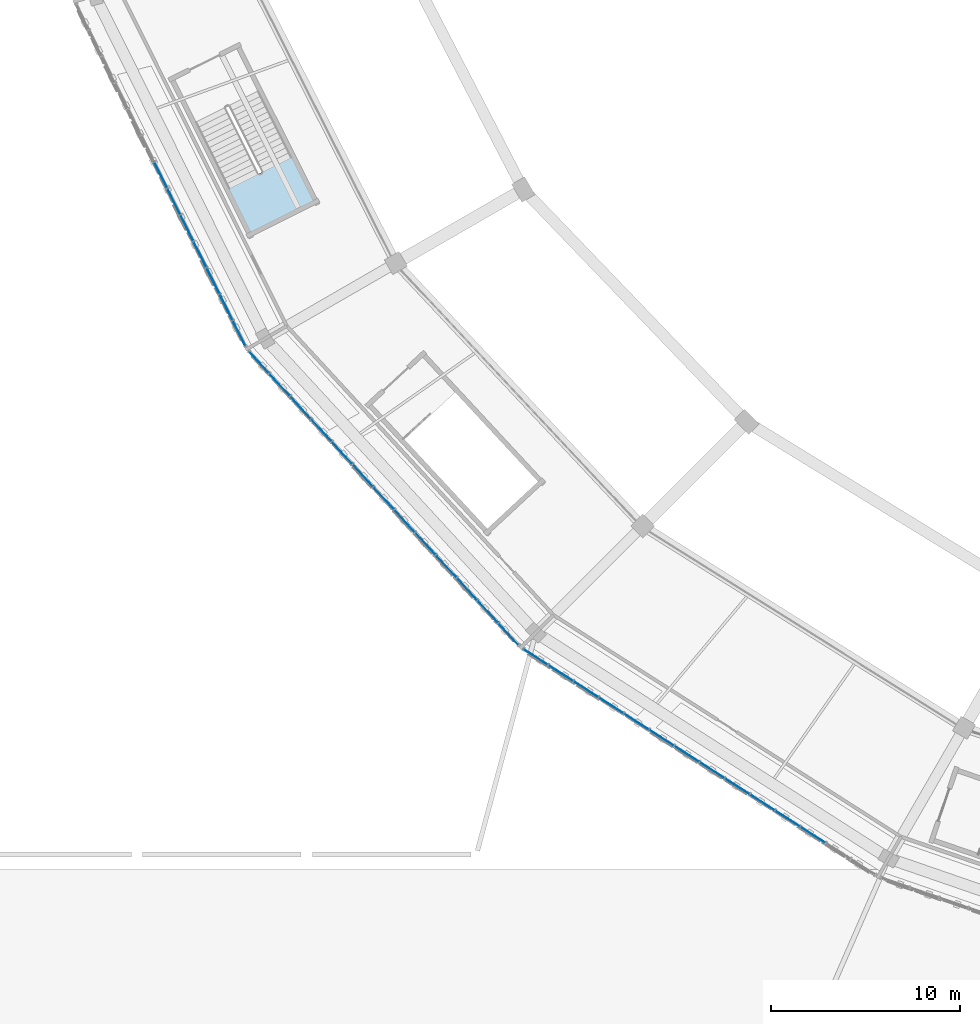
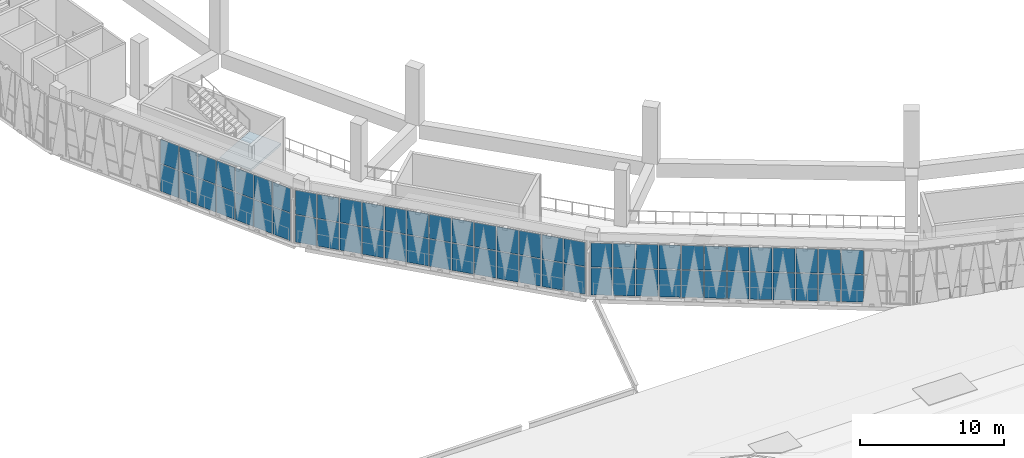
# One storey, part 50 of 108: 64 plates, 1 slab, 4 elements without a shape of their own.
"""IFC4 building model written with IfcOpenShell, lengths in metres."""

from ifc_helpers import new_model, si_unit, direction, frame, origin, origin_2d, place, context, subcontext, project, spatial, polyline, rectangle, outline, extrude, material, layer, layer_set, type_object, element, aggregate, save


model = new_model("IFC4")

# Units and contexts
model_context = context("Model", 3, precision=1e-05, world=origin(), true_north=direction((0.0, 1.0)))
body_context = subcontext(model_context, "Body", "Model", "MODEL_VIEW")
ifc_project = project(units=[si_unit("LENGTHUNIT", "METRE"), si_unit("AREAUNIT", "SQUARE_METRE"), si_unit("VOLUMEUNIT", "CUBIC_METRE"), si_unit("PLANEANGLEUNIT", "RADIAN"), si_unit("MASSUNIT", "GRAM", prefix="KILO")], contexts=[model_context])

# Site, building, storey
site_placement = place(None, origin())
site = spatial("IfcSite", under=ifc_project, at=site_placement, CompositionType="ELEMENT")
building_placement = place(site_placement, origin())
building = spatial("IfcBuilding", under=site, at=building_placement, Name="Zevraka Park Crest Stadium", CompositionType="ELEMENT")
storey_placement = place(building_placement, frame((0.0, 0.0, 19.800048828125)))
storey = spatial("IfcBuildingStorey", under=building, at=storey_placement, Name="L04", CompositionType="ELEMENT", Elevation=19.800048828125)

# Curtain wall, plates
ifc_material_1 = material(Name="Anodised architectural aluminium and laminated safety glass", Category="aluminium")
curtain_wall_type_1 = type_object("IfcCurtainWallType", Name="CW17", PredefinedType="NOTDEFINED", material=ifc_material_1)
curtain_wall_1_placement = place(storey_placement, origin())
curtain_wall_1 = element("IfcCurtainWall", 1, at=curtain_wall_1_placement, inside=storey, type_object=curtain_wall_type_1, Name="Unitised Ring Curtain Wall CW17 L04-13", PredefinedType="NOTDEFINED")
ifc_material_2 = material(Name="Solar-control laminated double glazing", Category="glass")
ifc_layer_1 = layer(ifc_material_2, 0.031982421875)
ifc_layer_set_1 = layer_set([ifc_layer_1], Name="Solar-control laminated double glazing")
plate_type_1 = type_object("IfcPlateType", Name="CP17", PredefinedType="CURTAIN_PANEL", material=ifc_layer_set_1)
plate_1_placement = place(storey_placement, frame((28.260498046875, 63.010498046875, 0.06494140625), z_axis=(0.0, 0.0, 1.0), x_axis=(0.443961067545, -0.896046076106, 0.0)))
plate_1 = element("IfcPlate", 2, at=plate_1_placement, type_object=plate_type_1, Name="CW17 panel 7.1", PredefinedType="CURTAIN_PANEL", context=body_context, shape_type="SweptSolid", body=[
    extrude(rectangle(XDim=1.497314453125, YDim=0.031982421875, at=origin_2d()), origin(), (0.0, 0.0, 1.0), 2.302490234375),
])
plate_2_placement = place(storey_placement, frame((28.260498046875, 63.010498046875, 2.432373046875), z_axis=(0.0, 0.0, 1.0), x_axis=(0.443961067545, -0.896046076106, 0.0)))
plate_2 = element("IfcPlate", 3, at=plate_2_placement, type_object=plate_type_1, Name="CW17 panel 7.2", PredefinedType="CURTAIN_PANEL", context=body_context, shape_type="SweptSolid", body=[
    extrude(rectangle(XDim=1.497314453125, YDim=0.031982421875, at=origin_2d()), origin(), (0.0, 0.0, 1.0), 2.04248046875),
])
plate_3_placement = place(storey_placement, frame((28.9541015625, 61.610595703125, 0.06494140625), z_axis=(0.0, 0.0, 1.0), x_axis=(0.443961067545, -0.896046076106, 0.0)))
plate_3 = element("IfcPlate", 4, at=plate_3_placement, type_object=plate_type_1, Name="CW17 panel 8.1", PredefinedType="CURTAIN_PANEL", context=body_context, shape_type="SweptSolid", body=[
    extrude(rectangle(XDim=1.497314453125, YDim=0.031982421875, at=origin_2d()), origin(), (0.0, 0.0, 1.0), 2.302490234375),
])
plate_4_placement = place(storey_placement, frame((28.9541015625, 61.610595703125, 2.432373046875), z_axis=(0.0, 0.0, 1.0), x_axis=(0.443961067545, -0.896046076106, 0.0)))
plate_4 = element("IfcPlate", 5, at=plate_4_placement, type_object=plate_type_1, Name="CW17 panel 8.2", PredefinedType="CURTAIN_PANEL", context=body_context, shape_type="SweptSolid", body=[
    extrude(rectangle(XDim=1.497314453125, YDim=0.031982421875, at=origin_2d()), origin(), (0.0, 0.0, 1.0), 2.04248046875),
])
plate_5_placement = place(storey_placement, frame((29.647705078125, 60.210693359375, 0.06494140625), z_axis=(0.0, 0.0, 1.0), x_axis=(0.443961067545, -0.896046076106, 0.0)))
plate_5 = element("IfcPlate", 6, at=plate_5_placement, type_object=plate_type_1, Name="CW17 panel 9.1", PredefinedType="CURTAIN_PANEL", context=body_context, shape_type="SweptSolid", body=[
    extrude(rectangle(XDim=1.497314453125, YDim=0.031982421875, at=origin_2d()), origin(), (0.0, 0.0, 1.0), 2.302490234375),
])
plate_6_placement = place(storey_placement, frame((29.647705078125, 60.210693359375, 2.432373046875), z_axis=(0.0, 0.0, 1.0), x_axis=(0.443961067545, -0.896046076106, 0.0)))
plate_6 = element("IfcPlate", 7, at=plate_6_placement, type_object=plate_type_1, Name="CW17 panel 9.2", PredefinedType="CURTAIN_PANEL", context=body_context, shape_type="SweptSolid", body=[
    extrude(rectangle(XDim=1.497314453125, YDim=0.031982421875, at=origin_2d()), origin(), (0.0, 0.0, 1.0), 2.04248046875),
])
plate_7_placement = place(storey_placement, frame((30.34130859375, 58.810791015625, 0.06494140625), z_axis=(0.0, 0.0, 1.0), x_axis=(0.443961067545, -0.896046076106, 0.0)))
plate_7 = element("IfcPlate", 8, at=plate_7_placement, type_object=plate_type_1, Name="CW17 panel 10.1", PredefinedType="CURTAIN_PANEL", context=body_context, shape_type="SweptSolid", body=[
    extrude(rectangle(XDim=1.497314453125, YDim=0.031982421875, at=origin_2d()), origin(), (0.0, 0.0, 1.0), 2.302490234375),
])
plate_8_placement = place(storey_placement, frame((30.34130859375, 58.810791015625, 2.432373046875), z_axis=(0.0, 0.0, 1.0), x_axis=(0.443961067545, -0.896046076106, 0.0)))
plate_8 = element("IfcPlate", 9, at=plate_8_placement, type_object=plate_type_1, Name="CW17 panel 10.2", PredefinedType="CURTAIN_PANEL", context=body_context, shape_type="SweptSolid", body=[
    extrude(rectangle(XDim=1.497314453125, YDim=0.031982421875, at=origin_2d()), origin(), (0.0, 0.0, 1.0), 2.04248046875),
])
plate_9_placement = place(storey_placement, frame((31.034912109375, 57.410888671875, 0.06494140625), z_axis=(0.0, 0.0, 1.0), x_axis=(0.443961067545, -0.896046076106, 0.0)))
plate_9 = element("IfcPlate", 10, at=plate_9_placement, type_object=plate_type_1, Name="CW17 panel 11.1", PredefinedType="CURTAIN_PANEL", context=body_context, shape_type="SweptSolid", body=[
    extrude(rectangle(XDim=1.497314453125, YDim=0.031982421875, at=origin_2d()), origin(), (0.0, 0.0, 1.0), 2.302490234375),
])
plate_10_placement = place(storey_placement, frame((31.034912109375, 57.410888671875, 2.432373046875), z_axis=(0.0, 0.0, 1.0), x_axis=(0.443961067545, -0.896046076106, 0.0)))
plate_10 = element("IfcPlate", 11, at=plate_10_placement, type_object=plate_type_1, Name="CW17 panel 11.2", PredefinedType="CURTAIN_PANEL", context=body_context, shape_type="SweptSolid", body=[
    extrude(rectangle(XDim=1.497314453125, YDim=0.031982421875, at=origin_2d()), origin(), (0.0, 0.0, 1.0), 2.04248046875),
])
plate_11_placement = place(storey_placement, frame((31.728515625, 56.010986328125, 0.06494140625), z_axis=(0.0, 0.0, 1.0), x_axis=(0.443961067545, -0.896046076106, 0.0)))
plate_11 = element("IfcPlate", 12, at=plate_11_placement, type_object=plate_type_1, Name="CW17 panel 12.1", PredefinedType="CURTAIN_PANEL", context=body_context, shape_type="SweptSolid", body=[
    extrude(rectangle(XDim=1.497314453125, YDim=0.031982421875, at=origin_2d()), origin(), (0.0, 0.0, 1.0), 2.302490234375),
])
plate_12_placement = place(storey_placement, frame((31.728515625, 56.010986328125, 2.432373046875), z_axis=(0.0, 0.0, 1.0), x_axis=(0.443961067545, -0.896046076106, 0.0)))
plate_12 = element("IfcPlate", 13, at=plate_12_placement, type_object=plate_type_1, Name="CW17 panel 12.2", PredefinedType="CURTAIN_PANEL", context=body_context, shape_type="SweptSolid", body=[
    extrude(rectangle(XDim=1.497314453125, YDim=0.031982421875, at=origin_2d()), origin(), (0.0, 0.0, 1.0), 2.04248046875),
])
plate_13_placement = place(storey_placement, frame((32.4150390625, 54.62548828125, 0.06494140625), z_axis=(0.0, 0.0, 1.0), x_axis=(0.443961067545, -0.896046076106, 0.0)))
plate_13 = element("IfcPlate", 14, at=plate_13_placement, type_object=plate_type_1, Name="CW17 panel 13.1", PredefinedType="CURTAIN_PANEL", context=body_context, shape_type="SweptSolid", body=[
    extrude(rectangle(XDim=1.46484375, YDim=0.031982421875, at=origin_2d()), origin(), (0.0, 0.0, 1.0), 2.302490234375),
])
plate_14_placement = place(storey_placement, frame((32.4150390625, 54.62548828125, 2.432373046875), z_axis=(0.0, 0.0, 1.0), x_axis=(0.443961067545, -0.896046076106, 0.0)))
plate_14 = element("IfcPlate", 15, at=plate_14_placement, type_object=plate_type_1, Name="CW17 panel 13.2", PredefinedType="CURTAIN_PANEL", context=body_context, shape_type="SweptSolid", body=[
    extrude(rectangle(XDim=1.46484375, YDim=0.031982421875, at=origin_2d()), origin(), (0.0, 0.0, 1.0), 2.04248046875),
])
aggregate(curtain_wall_1, [plate_1, plate_2, plate_3, plate_4, plate_5, plate_6, plate_7, plate_8, plate_9, plate_10, plate_11, plate_12, plate_13, plate_14])

ifc_material_3 = material(Name="Anodised architectural aluminium and laminated safety glass", Category="aluminium")
curtain_wall_type_2 = type_object("IfcCurtainWallType", Name="CW18", PredefinedType="NOTDEFINED", material=ifc_material_3)
curtain_wall_2_placement = place(storey_placement, origin())
curtain_wall_2 = element("IfcCurtainWall", 16, at=curtain_wall_2_placement, inside=storey, type_object=curtain_wall_type_2, Name="Unitised Ring Curtain Wall CW18 L04-14", PredefinedType="NOTDEFINED")
ifc_material_4 = material(Name="Solar-control laminated double glazing", Category="glass")
ifc_layer_2 = layer(ifc_material_4, 0.031982421875)
ifc_layer_set_2 = layer_set([ifc_layer_2], Name="Solar-control laminated double glazing")
plate_type_2 = type_object("IfcPlateType", Name="CP18", PredefinedType="CURTAIN_PANEL", material=ifc_layer_set_2)
plate_15_placement = place(storey_placement, frame((33.476806640625, 53.086669921875, 0.070068359375), z_axis=(0.0, 0.0, 1.0), x_axis=(0.676138417355, -0.736774619932, 0.0)))
plate_15 = element("IfcPlate", 17, at=plate_15_placement, type_object=plate_type_2, Name="CW18 panel 1.1", PredefinedType="CURTAIN_PANEL", context=body_context, shape_type="SweptSolid", body=[
    extrude(rectangle(XDim=1.527587890625, YDim=0.031982421875, at=origin_2d()), origin(), (0.0, 0.0, 1.0), 2.294921875),
])
plate_16_placement = place(storey_placement, frame((33.476806640625, 53.086669921875, 2.43505859375), z_axis=(0.0, 0.0, 1.0), x_axis=(0.676138417355, -0.736774619932, 0.0)))
plate_16 = element("IfcPlate", 18, at=plate_16_placement, type_object=plate_type_2, Name="CW18 panel 1.2", PredefinedType="CURTAIN_PANEL", context=body_context, shape_type="SweptSolid", body=[
    extrude(rectangle(XDim=1.527587890625, YDim=0.031982421875, at=origin_2d()), origin(), (0.0, 0.0, 1.0), 2.034912109375),
])
plate_17_placement = place(storey_placement, frame((34.56884765625, 51.896728515625, 0.070068359375), z_axis=(0.0, 0.0, 1.0), x_axis=(0.676138417355, -0.736774619932, 0.0)))
plate_17 = element("IfcPlate", 19, at=plate_17_placement, type_object=plate_type_2, Name="CW18 panel 2.1", PredefinedType="CURTAIN_PANEL", context=body_context, shape_type="SweptSolid", body=[
    extrude(rectangle(XDim=1.562744140625, YDim=0.031982421875, at=origin_2d()), origin(), (0.0, 0.0, 1.0), 2.294921875),
])
plate_18_placement = place(storey_placement, frame((34.56884765625, 51.896728515625, 2.43505859375), z_axis=(0.0, 0.0, 1.0), x_axis=(0.676138417355, -0.736774619932, 0.0)))
plate_18 = element("IfcPlate", 20, at=plate_18_placement, type_object=plate_type_2, Name="CW18 panel 2.2", PredefinedType="CURTAIN_PANEL", context=body_context, shape_type="SweptSolid", body=[
    extrude(rectangle(XDim=1.562744140625, YDim=0.031982421875, at=origin_2d()), origin(), (0.0, 0.0, 1.0), 2.034912109375),
])
plate_19_placement = place(storey_placement, frame((35.6728515625, 50.693603515625, 0.070068359375), z_axis=(0.0, 0.0, 1.0), x_axis=(0.676138417355, -0.736774619932, 0.0)))
plate_19 = element("IfcPlate", 21, at=plate_19_placement, type_object=plate_type_2, Name="CW18 panel 3.1", PredefinedType="CURTAIN_PANEL", context=body_context, shape_type="SweptSolid", body=[
    extrude(rectangle(XDim=1.562744140625, YDim=0.031982421875, at=origin_2d()), origin(), (0.0, 0.0, 1.0), 2.294921875),
])
plate_20_placement = place(storey_placement, frame((35.6728515625, 50.693603515625, 2.43505859375), z_axis=(0.0, 0.0, 1.0), x_axis=(0.676138417355, -0.736774619932, 0.0)))
plate_20 = element("IfcPlate", 22, at=plate_20_placement, type_object=plate_type_2, Name="CW18 panel 3.2", PredefinedType="CURTAIN_PANEL", context=body_context, shape_type="SweptSolid", body=[
    extrude(rectangle(XDim=1.562744140625, YDim=0.031982421875, at=origin_2d()), origin(), (0.0, 0.0, 1.0), 2.034912109375),
])
plate_21_placement = place(storey_placement, frame((36.776611328125, 49.49072265625, 0.070068359375), z_axis=(0.0, 0.0, 1.0), x_axis=(0.676138417355, -0.736774619932, 0.0)))
plate_21 = element("IfcPlate", 23, at=plate_21_placement, type_object=plate_type_2, Name="CW18 panel 4.1", PredefinedType="CURTAIN_PANEL", context=body_context, shape_type="SweptSolid", body=[
    extrude(rectangle(XDim=1.562744140625, YDim=0.031982421875, at=origin_2d()), origin(), (0.0, 0.0, 1.0), 2.294921875),
])
plate_22_placement = place(storey_placement, frame((36.776611328125, 49.49072265625, 2.43505859375), z_axis=(0.0, 0.0, 1.0), x_axis=(0.676138417355, -0.736774619932, 0.0)))
plate_22 = element("IfcPlate", 24, at=plate_22_placement, type_object=plate_type_2, Name="CW18 panel 4.2", PredefinedType="CURTAIN_PANEL", context=body_context, shape_type="SweptSolid", body=[
    extrude(rectangle(XDim=1.562744140625, YDim=0.031982421875, at=origin_2d()), origin(), (0.0, 0.0, 1.0), 2.034912109375),
])
plate_23_placement = place(storey_placement, frame((37.880615234375, 48.287841796875, 0.070068359375), z_axis=(0.0, 0.0, 1.0), x_axis=(0.676138417355, -0.736774619932, 0.0)))
plate_23 = element("IfcPlate", 25, at=plate_23_placement, type_object=plate_type_2, Name="CW18 panel 5.1", PredefinedType="CURTAIN_PANEL", context=body_context, shape_type="SweptSolid", body=[
    extrude(rectangle(XDim=1.562744140625, YDim=0.031982421875, at=origin_2d()), origin(), (0.0, 0.0, 1.0), 2.294921875),
])
plate_24_placement = place(storey_placement, frame((37.880615234375, 48.287841796875, 2.43505859375), z_axis=(0.0, 0.0, 1.0), x_axis=(0.676138417355, -0.736774619932, 0.0)))
plate_24 = element("IfcPlate", 26, at=plate_24_placement, type_object=plate_type_2, Name="CW18 panel 5.2", PredefinedType="CURTAIN_PANEL", context=body_context, shape_type="SweptSolid", body=[
    extrude(rectangle(XDim=1.562744140625, YDim=0.031982421875, at=origin_2d()), origin(), (0.0, 0.0, 1.0), 2.034912109375),
])
plate_25_placement = place(storey_placement, frame((38.984619140625, 47.0849609375, 0.070068359375), z_axis=(0.0, 0.0, 1.0), x_axis=(0.676138417355, -0.736774619932, 0.0)))
plate_25 = element("IfcPlate", 27, at=plate_25_placement, type_object=plate_type_2, Name="CW18 panel 6.1", PredefinedType="CURTAIN_PANEL", context=body_context, shape_type="SweptSolid", body=[
    extrude(rectangle(XDim=1.562744140625, YDim=0.031982421875, at=origin_2d()), origin(), (0.0, 0.0, 1.0), 2.294921875),
])
plate_26_placement = place(storey_placement, frame((38.984619140625, 47.0849609375, 2.43505859375), z_axis=(0.0, 0.0, 1.0), x_axis=(0.676138417355, -0.736774619932, 0.0)))
plate_26 = element("IfcPlate", 28, at=plate_26_placement, type_object=plate_type_2, Name="CW18 panel 6.2", PredefinedType="CURTAIN_PANEL", context=body_context, shape_type="SweptSolid", body=[
    extrude(rectangle(XDim=1.562744140625, YDim=0.031982421875, at=origin_2d()), origin(), (0.0, 0.0, 1.0), 2.034912109375),
])
plate_27_placement = place(storey_placement, frame((40.08837890625, 45.882080078125, 0.070068359375), z_axis=(0.0, 0.0, 1.0), x_axis=(0.676138417355, -0.736774619932, 0.0)))
plate_27 = element("IfcPlate", 29, at=plate_27_placement, type_object=plate_type_2, Name="CW18 panel 7.1", PredefinedType="CURTAIN_PANEL", context=body_context, shape_type="SweptSolid", body=[
    extrude(rectangle(XDim=1.562744140625, YDim=0.031982421875, at=origin_2d()), origin(), (0.0, 0.0, 1.0), 2.294921875),
])
plate_28_placement = place(storey_placement, frame((40.08837890625, 45.882080078125, 2.43505859375), z_axis=(0.0, 0.0, 1.0), x_axis=(0.676138417355, -0.736774619932, 0.0)))
plate_28 = element("IfcPlate", 30, at=plate_28_placement, type_object=plate_type_2, Name="CW18 panel 7.2", PredefinedType="CURTAIN_PANEL", context=body_context, shape_type="SweptSolid", body=[
    extrude(rectangle(XDim=1.562744140625, YDim=0.031982421875, at=origin_2d()), origin(), (0.0, 0.0, 1.0), 2.034912109375),
])
plate_29_placement = place(storey_placement, frame((41.1923828125, 44.678955078125, 0.070068359375), z_axis=(0.0, 0.0, 1.0), x_axis=(0.676138417355, -0.736774619932, 0.0)))
plate_29 = element("IfcPlate", 31, at=plate_29_placement, type_object=plate_type_2, Name="CW18 panel 8.1", PredefinedType="CURTAIN_PANEL", context=body_context, shape_type="SweptSolid", body=[
    extrude(rectangle(XDim=1.562744140625, YDim=0.031982421875, at=origin_2d()), origin(), (0.0, 0.0, 1.0), 2.294921875),
])
plate_30_placement = place(storey_placement, frame((41.1923828125, 44.678955078125, 2.43505859375), z_axis=(0.0, 0.0, 1.0), x_axis=(0.676138417355, -0.736774619932, 0.0)))
plate_30 = element("IfcPlate", 32, at=plate_30_placement, type_object=plate_type_2, Name="CW18 panel 8.2", PredefinedType="CURTAIN_PANEL", context=body_context, shape_type="SweptSolid", body=[
    extrude(rectangle(XDim=1.562744140625, YDim=0.031982421875, at=origin_2d()), origin(), (0.0, 0.0, 1.0), 2.034912109375),
])
plate_31_placement = place(storey_placement, frame((42.29638671875, 43.47607421875, 0.070068359375), z_axis=(0.0, 0.0, 1.0), x_axis=(0.676138417355, -0.736774619932, 0.0)))
plate_31 = element("IfcPlate", 33, at=plate_31_placement, type_object=plate_type_2, Name="CW18 panel 9.1", PredefinedType="CURTAIN_PANEL", context=body_context, shape_type="SweptSolid", body=[
    extrude(rectangle(XDim=1.562744140625, YDim=0.031982421875, at=origin_2d()), origin(), (0.0, 0.0, 1.0), 2.294921875),
])
plate_32_placement = place(storey_placement, frame((42.29638671875, 43.47607421875, 2.43505859375), z_axis=(0.0, 0.0, 1.0), x_axis=(0.676138417355, -0.736774619932, 0.0)))
plate_32 = element("IfcPlate", 34, at=plate_32_placement, type_object=plate_type_2, Name="CW18 panel 9.2", PredefinedType="CURTAIN_PANEL", context=body_context, shape_type="SweptSolid", body=[
    extrude(rectangle(XDim=1.562744140625, YDim=0.031982421875, at=origin_2d()), origin(), (0.0, 0.0, 1.0), 2.034912109375),
])
plate_33_placement = place(storey_placement, frame((43.400390625, 42.273193359375, 0.070068359375), z_axis=(0.0, 0.0, 1.0), x_axis=(0.676138417355, -0.736774619932, 0.0)))
plate_33 = element("IfcPlate", 35, at=plate_33_placement, type_object=plate_type_2, Name="CW18 panel 10.1", PredefinedType="CURTAIN_PANEL", context=body_context, shape_type="SweptSolid", body=[
    extrude(rectangle(XDim=1.562744140625, YDim=0.031982421875, at=origin_2d()), origin(), (0.0, 0.0, 1.0), 2.294921875),
])
plate_34_placement = place(storey_placement, frame((43.400390625, 42.273193359375, 2.43505859375), z_axis=(0.0, 0.0, 1.0), x_axis=(0.676138417355, -0.736774619932, 0.0)))
plate_34 = element("IfcPlate", 36, at=plate_34_placement, type_object=plate_type_2, Name="CW18 panel 10.2", PredefinedType="CURTAIN_PANEL", context=body_context, shape_type="SweptSolid", body=[
    extrude(rectangle(XDim=1.562744140625, YDim=0.031982421875, at=origin_2d()), origin(), (0.0, 0.0, 1.0), 2.034912109375),
])
plate_35_placement = place(storey_placement, frame((44.504150390625, 41.0703125, 0.070068359375), z_axis=(0.0, 0.0, 1.0), x_axis=(0.676138417355, -0.736774619932, 0.0)))
plate_35 = element("IfcPlate", 37, at=plate_35_placement, type_object=plate_type_2, Name="CW18 panel 11.1", PredefinedType="CURTAIN_PANEL", context=body_context, shape_type="SweptSolid", body=[
    extrude(rectangle(XDim=1.562744140625, YDim=0.031982421875, at=origin_2d()), origin(), (0.0, 0.0, 1.0), 2.294921875),
])
plate_36_placement = place(storey_placement, frame((44.504150390625, 41.0703125, 2.43505859375), z_axis=(0.0, 0.0, 1.0), x_axis=(0.676138417355, -0.736774619932, 0.0)))
plate_36 = element("IfcPlate", 38, at=plate_36_placement, type_object=plate_type_2, Name="CW18 panel 11.2", PredefinedType="CURTAIN_PANEL", context=body_context, shape_type="SweptSolid", body=[
    extrude(rectangle(XDim=1.562744140625, YDim=0.031982421875, at=origin_2d()), origin(), (0.0, 0.0, 1.0), 2.034912109375),
])
plate_37_placement = place(storey_placement, frame((45.608154296875, 39.867431640625, 0.070068359375), z_axis=(0.0, 0.0, 1.0), x_axis=(0.676138417355, -0.736774619932, 0.0)))
plate_37 = element("IfcPlate", 39, at=plate_37_placement, type_object=plate_type_2, Name="CW18 panel 12.1", PredefinedType="CURTAIN_PANEL", context=body_context, shape_type="SweptSolid", body=[
    extrude(rectangle(XDim=1.562744140625, YDim=0.031982421875, at=origin_2d()), origin(), (0.0, 0.0, 1.0), 2.294921875),
])
plate_38_placement = place(storey_placement, frame((45.608154296875, 39.867431640625, 2.43505859375), z_axis=(0.0, 0.0, 1.0), x_axis=(0.676138417355, -0.736774619932, 0.0)))
plate_38 = element("IfcPlate", 40, at=plate_38_placement, type_object=plate_type_2, Name="CW18 panel 12.2", PredefinedType="CURTAIN_PANEL", context=body_context, shape_type="SweptSolid", body=[
    extrude(rectangle(XDim=1.562744140625, YDim=0.031982421875, at=origin_2d()), origin(), (0.0, 0.0, 1.0), 2.034912109375),
])
plate_39_placement = place(storey_placement, frame((46.7001953125, 38.67724609375, 0.070068359375), z_axis=(0.0, 0.0, 1.0), x_axis=(0.676138417355, -0.736774619932, 0.0)))
plate_39 = element("IfcPlate", 41, at=plate_39_placement, type_object=plate_type_2, Name="CW18 panel 13.1", PredefinedType="CURTAIN_PANEL", context=body_context, shape_type="SweptSolid", body=[
    extrude(rectangle(XDim=1.527587890625, YDim=0.031982421875, at=origin_2d()), origin(), (0.0, 0.0, 1.0), 2.294921875),
])
plate_40_placement = place(storey_placement, frame((46.7001953125, 38.67724609375, 2.43505859375), z_axis=(0.0, 0.0, 1.0), x_axis=(0.676138417355, -0.736774619932, 0.0)))
plate_40 = element("IfcPlate", 42, at=plate_40_placement, type_object=plate_type_2, Name="CW18 panel 13.2", PredefinedType="CURTAIN_PANEL", context=body_context, shape_type="SweptSolid", body=[
    extrude(rectangle(XDim=1.527587890625, YDim=0.031982421875, at=origin_2d()), origin(), (0.0, 0.0, 1.0), 2.034912109375),
])
aggregate(curtain_wall_2, [plate_15, plate_16, plate_17, plate_18, plate_19, plate_20, plate_21, plate_22, plate_23, plate_24, plate_25, plate_26, plate_27, plate_28, plate_29, plate_30, plate_31, plate_32, plate_33, plate_34, plate_35, plate_36, plate_37, plate_38, plate_39, plate_40])

curtain_wall_3_placement = place(storey_placement, origin())
curtain_wall_3 = element("IfcCurtainWall", 43, at=curtain_wall_3_placement, inside=storey, type_object=curtain_wall_type_2, Name="Unitised Ring Curtain Wall CW18 L04-15", PredefinedType="NOTDEFINED")
plate_41_placement = place(storey_placement, frame((48.14404296875, 37.459716796875, 0.070068359375), z_axis=(0.0, 0.0, 1.0), x_axis=(0.841677883781, -0.539979944029, 0.0)))
plate_41 = element("IfcPlate", 44, at=plate_41_placement, type_object=plate_type_2, Name="CW18 panel 1.1", PredefinedType="CURTAIN_PANEL", context=body_context, shape_type="SweptSolid", body=[
    extrude(rectangle(XDim=1.483154296875, YDim=0.031982421875, at=origin_2d()), origin(), (0.0, 0.0, 1.0), 2.294921875),
])
plate_42_placement = place(storey_placement, frame((48.14404296875, 37.459716796875, 2.43505859375), z_axis=(0.0, 0.0, 1.0), x_axis=(0.841677883781, -0.539979944029, 0.0)))
plate_42 = element("IfcPlate", 45, at=plate_42_placement, type_object=plate_type_2, Name="CW18 panel 1.2", PredefinedType="CURTAIN_PANEL", context=body_context, shape_type="SweptSolid", body=[
    extrude(rectangle(XDim=1.483154296875, YDim=0.031982421875, at=origin_2d()), origin(), (0.0, 0.0, 1.0), 2.034912109375),
])
plate_43_placement = place(storey_placement, frame((49.466064453125, 36.611572265625, 0.070068359375), z_axis=(0.0, 0.0, 1.0), x_axis=(0.841677883781, -0.539979944029, 0.0)))
plate_43 = element("IfcPlate", 46, at=plate_43_placement, type_object=plate_type_2, Name="CW18 panel 2.1", PredefinedType="CURTAIN_PANEL", context=body_context, shape_type="SweptSolid", body=[
    extrude(rectangle(XDim=1.51806640625, YDim=0.031982421875, at=origin_2d()), origin(), (0.0, 0.0, 1.0), 2.294921875),
])
plate_44_placement = place(storey_placement, frame((49.466064453125, 36.611572265625, 2.43505859375), z_axis=(0.0, 0.0, 1.0), x_axis=(0.841677883781, -0.539979944029, 0.0)))
plate_44 = element("IfcPlate", 47, at=plate_44_placement, type_object=plate_type_2, Name="CW18 panel 2.2", PredefinedType="CURTAIN_PANEL", context=body_context, shape_type="SweptSolid", body=[
    extrude(rectangle(XDim=1.51806640625, YDim=0.031982421875, at=origin_2d()), origin(), (0.0, 0.0, 1.0), 2.034912109375),
])
plate_45_placement = place(storey_placement, frame((50.802734375, 35.754150390625, 0.070068359375), z_axis=(0.0, 0.0, 1.0), x_axis=(0.841677883781, -0.539979944029, 0.0)))
plate_45 = element("IfcPlate", 48, at=plate_45_placement, type_object=plate_type_2, Name="CW18 panel 3.1", PredefinedType="CURTAIN_PANEL", context=body_context, shape_type="SweptSolid", body=[
    extrude(rectangle(XDim=1.51806640625, YDim=0.031982421875, at=origin_2d()), origin(), (0.0, 0.0, 1.0), 2.294921875),
])
plate_46_placement = place(storey_placement, frame((50.802734375, 35.754150390625, 2.43505859375), z_axis=(0.0, 0.0, 1.0), x_axis=(0.841677883781, -0.539979944029, 0.0)))
plate_46 = element("IfcPlate", 49, at=plate_46_placement, type_object=plate_type_2, Name="CW18 panel 3.2", PredefinedType="CURTAIN_PANEL", context=body_context, shape_type="SweptSolid", body=[
    extrude(rectangle(XDim=1.51806640625, YDim=0.031982421875, at=origin_2d()), origin(), (0.0, 0.0, 1.0), 2.034912109375),
])
plate_47_placement = place(storey_placement, frame((52.139404296875, 34.896484375, 0.070068359375), z_axis=(0.0, 0.0, 1.0), x_axis=(0.841677883781, -0.539979944029, 0.0)))
plate_47 = element("IfcPlate", 50, at=plate_47_placement, type_object=plate_type_2, Name="CW18 panel 4.1", PredefinedType="CURTAIN_PANEL", context=body_context, shape_type="SweptSolid", body=[
    extrude(rectangle(XDim=1.51806640625, YDim=0.031982421875, at=origin_2d()), origin(), (0.0, 0.0, 1.0), 2.294921875),
])
plate_48_placement = place(storey_placement, frame((52.139404296875, 34.896484375, 2.43505859375), z_axis=(0.0, 0.0, 1.0), x_axis=(0.841677883781, -0.539979944029, 0.0)))
plate_48 = element("IfcPlate", 51, at=plate_48_placement, type_object=plate_type_2, Name="CW18 panel 4.2", PredefinedType="CURTAIN_PANEL", context=body_context, shape_type="SweptSolid", body=[
    extrude(rectangle(XDim=1.51806640625, YDim=0.031982421875, at=origin_2d()), origin(), (0.0, 0.0, 1.0), 2.034912109375),
])
plate_49_placement = place(storey_placement, frame((53.476318359375, 34.038818359375, 0.070068359375), z_axis=(0.0, 0.0, 1.0), x_axis=(0.841677883781, -0.539979944029, 0.0)))
plate_49 = element("IfcPlate", 52, at=plate_49_placement, type_object=plate_type_2, Name="CW18 panel 5.1", PredefinedType="CURTAIN_PANEL", context=body_context, shape_type="SweptSolid", body=[
    extrude(rectangle(XDim=1.51806640625, YDim=0.031982421875, at=origin_2d()), origin(), (0.0, 0.0, 1.0), 2.294921875),
])
plate_50_placement = place(storey_placement, frame((53.476318359375, 34.038818359375, 2.43505859375), z_axis=(0.0, 0.0, 1.0), x_axis=(0.841677883781, -0.539979944029, 0.0)))
plate_50 = element("IfcPlate", 53, at=plate_50_placement, type_object=plate_type_2, Name="CW18 panel 5.2", PredefinedType="CURTAIN_PANEL", context=body_context, shape_type="SweptSolid", body=[
    extrude(rectangle(XDim=1.51806640625, YDim=0.031982421875, at=origin_2d()), origin(), (0.0, 0.0, 1.0), 2.034912109375),
])
plate_51_placement = place(storey_placement, frame((54.81298828125, 33.181396484375, 0.070068359375), z_axis=(0.0, 0.0, 1.0), x_axis=(0.841677883781, -0.539979944029, 0.0)))
plate_51 = element("IfcPlate", 54, at=plate_51_placement, type_object=plate_type_2, Name="CW18 panel 6.1", PredefinedType="CURTAIN_PANEL", context=body_context, shape_type="SweptSolid", body=[
    extrude(rectangle(XDim=1.51806640625, YDim=0.031982421875, at=origin_2d()), origin(), (0.0, 0.0, 1.0), 2.294921875),
])
plate_52_placement = place(storey_placement, frame((54.81298828125, 33.181396484375, 2.43505859375), z_axis=(0.0, 0.0, 1.0), x_axis=(0.841677883781, -0.539979944029, 0.0)))
plate_52 = element("IfcPlate", 55, at=plate_52_placement, type_object=plate_type_2, Name="CW18 panel 6.2", PredefinedType="CURTAIN_PANEL", context=body_context, shape_type="SweptSolid", body=[
    extrude(rectangle(XDim=1.51806640625, YDim=0.031982421875, at=origin_2d()), origin(), (0.0, 0.0, 1.0), 2.034912109375),
])
plate_53_placement = place(storey_placement, frame((56.149658203125, 32.32373046875, 0.070068359375), z_axis=(0.0, 0.0, 1.0), x_axis=(0.841677883781, -0.539979944029, 0.0)))
plate_53 = element("IfcPlate", 56, at=plate_53_placement, type_object=plate_type_2, Name="CW18 panel 7.1", PredefinedType="CURTAIN_PANEL", context=body_context, shape_type="SweptSolid", body=[
    extrude(rectangle(XDim=1.51806640625, YDim=0.031982421875, at=origin_2d()), origin(), (0.0, 0.0, 1.0), 2.294921875),
])
plate_54_placement = place(storey_placement, frame((56.149658203125, 32.32373046875, 2.43505859375), z_axis=(0.0, 0.0, 1.0), x_axis=(0.841677883781, -0.539979944029, 0.0)))
plate_54 = element("IfcPlate", 57, at=plate_54_placement, type_object=plate_type_2, Name="CW18 panel 7.2", PredefinedType="CURTAIN_PANEL", context=body_context, shape_type="SweptSolid", body=[
    extrude(rectangle(XDim=1.51806640625, YDim=0.031982421875, at=origin_2d()), origin(), (0.0, 0.0, 1.0), 2.034912109375),
])
plate_55_placement = place(storey_placement, frame((57.486328125, 31.46630859375, 0.070068359375), z_axis=(0.0, 0.0, 1.0), x_axis=(0.841677883781, -0.539979944029, 0.0)))
plate_55 = element("IfcPlate", 58, at=plate_55_placement, type_object=plate_type_2, Name="CW18 panel 8.1", PredefinedType="CURTAIN_PANEL", context=body_context, shape_type="SweptSolid", body=[
    extrude(rectangle(XDim=1.51806640625, YDim=0.031982421875, at=origin_2d()), origin(), (0.0, 0.0, 1.0), 2.294921875),
])
plate_56_placement = place(storey_placement, frame((57.486328125, 31.46630859375, 2.43505859375), z_axis=(0.0, 0.0, 1.0), x_axis=(0.841677883781, -0.539979944029, 0.0)))
plate_56 = element("IfcPlate", 59, at=plate_56_placement, type_object=plate_type_2, Name="CW18 panel 8.2", PredefinedType="CURTAIN_PANEL", context=body_context, shape_type="SweptSolid", body=[
    extrude(rectangle(XDim=1.51806640625, YDim=0.031982421875, at=origin_2d()), origin(), (0.0, 0.0, 1.0), 2.034912109375),
])
plate_57_placement = place(storey_placement, frame((58.822998046875, 30.608642578125, 0.070068359375), z_axis=(0.0, 0.0, 1.0), x_axis=(0.841677883781, -0.539979944029, 0.0)))
plate_57 = element("IfcPlate", 60, at=plate_57_placement, type_object=plate_type_2, Name="CW18 panel 9.1", PredefinedType="CURTAIN_PANEL", context=body_context, shape_type="SweptSolid", body=[
    extrude(rectangle(XDim=1.51806640625, YDim=0.031982421875, at=origin_2d()), origin(), (0.0, 0.0, 1.0), 2.294921875),
])
plate_58_placement = place(storey_placement, frame((58.822998046875, 30.608642578125, 2.43505859375), z_axis=(0.0, 0.0, 1.0), x_axis=(0.841677883781, -0.539979944029, 0.0)))
plate_58 = element("IfcPlate", 61, at=plate_58_placement, type_object=plate_type_2, Name="CW18 panel 9.2", PredefinedType="CURTAIN_PANEL", context=body_context, shape_type="SweptSolid", body=[
    extrude(rectangle(XDim=1.51806640625, YDim=0.031982421875, at=origin_2d()), origin(), (0.0, 0.0, 1.0), 2.034912109375),
])
plate_59_placement = place(storey_placement, frame((60.15966796875, 29.7509765625, 0.070068359375), z_axis=(0.0, 0.0, 1.0), x_axis=(0.841677883781, -0.539979944029, 0.0)))
plate_59 = element("IfcPlate", 62, at=plate_59_placement, type_object=plate_type_2, Name="CW18 panel 10.1", PredefinedType="CURTAIN_PANEL", context=body_context, shape_type="SweptSolid", body=[
    extrude(rectangle(XDim=1.51806640625, YDim=0.031982421875, at=origin_2d()), origin(), (0.0, 0.0, 1.0), 2.294921875),
])
plate_60_placement = place(storey_placement, frame((60.15966796875, 29.7509765625, 2.43505859375), z_axis=(0.0, 0.0, 1.0), x_axis=(0.841677883781, -0.539979944029, 0.0)))
plate_60 = element("IfcPlate", 63, at=plate_60_placement, type_object=plate_type_2, Name="CW18 panel 10.2", PredefinedType="CURTAIN_PANEL", context=body_context, shape_type="SweptSolid", body=[
    extrude(rectangle(XDim=1.51806640625, YDim=0.031982421875, at=origin_2d()), origin(), (0.0, 0.0, 1.0), 2.034912109375),
])
plate_61_placement = place(storey_placement, frame((61.49658203125, 28.8935546875, 0.070068359375), z_axis=(0.0, 0.0, 1.0), x_axis=(0.841677883781, -0.539979944029, 0.0)))
plate_61 = element("IfcPlate", 64, at=plate_61_placement, type_object=plate_type_2, Name="CW18 panel 11.1", PredefinedType="CURTAIN_PANEL", context=body_context, shape_type="SweptSolid", body=[
    extrude(rectangle(XDim=1.51806640625, YDim=0.031982421875, at=origin_2d()), origin(), (0.0, 0.0, 1.0), 2.294921875),
])
plate_62_placement = place(storey_placement, frame((61.49658203125, 28.8935546875, 2.43505859375), z_axis=(0.0, 0.0, 1.0), x_axis=(0.841677883781, -0.539979944029, 0.0)))
plate_62 = element("IfcPlate", 65, at=plate_62_placement, type_object=plate_type_2, Name="CW18 panel 11.2", PredefinedType="CURTAIN_PANEL", context=body_context, shape_type="SweptSolid", body=[
    extrude(rectangle(XDim=1.51806640625, YDim=0.031982421875, at=origin_2d()), origin(), (0.0, 0.0, 1.0), 2.034912109375),
])
plate_63_placement = place(storey_placement, frame((62.833251953125, 28.035888671875, 0.070068359375), z_axis=(0.0, 0.0, 1.0), x_axis=(0.841677883781, -0.539979944029, 0.0)))
plate_63 = element("IfcPlate", 66, at=plate_63_placement, type_object=plate_type_2, Name="CW18 panel 12.1", PredefinedType="CURTAIN_PANEL", context=body_context, shape_type="SweptSolid", body=[
    extrude(rectangle(XDim=1.51806640625, YDim=0.031982421875, at=origin_2d()), origin(), (0.0, 0.0, 1.0), 2.294921875),
])
plate_64_placement = place(storey_placement, frame((62.833251953125, 28.035888671875, 2.43505859375), z_axis=(0.0, 0.0, 1.0), x_axis=(0.841677883781, -0.539979944029, 0.0)))
plate_64 = element("IfcPlate", 67, at=plate_64_placement, type_object=plate_type_2, Name="CW18 panel 12.2", PredefinedType="CURTAIN_PANEL", context=body_context, shape_type="SweptSolid", body=[
    extrude(rectangle(XDim=1.51806640625, YDim=0.031982421875, at=origin_2d()), origin(), (0.0, 0.0, 1.0), 2.034912109375),
])
aggregate(curtain_wall_3, [plate_41, plate_42, plate_43, plate_44, plate_45, plate_46, plate_47, plate_48, plate_49, plate_50, plate_51, plate_52, plate_53, plate_54, plate_55, plate_56, plate_57, plate_58, plate_59, plate_60, plate_61, plate_62, plate_63, plate_64])

# Stair, slab
ifc_material_5 = material(Name="Concrete C35/45", Category="concrete")
stair_type = type_object("IfcStairType", Name="STA2", PredefinedType="HALF_TURN_STAIR", material=ifc_material_5)
stair_placement = place(storey_placement, origin())
stair = element("IfcStair", 68, at=stair_placement, inside=storey, type_object=stair_type, Name="L04 Protected Concourse Exit Stair ST14", PredefinedType="HALF_TURN_STAIR")
ifc_material_6 = material(Name="Concrete C35/45", Category="concrete")
ifc_layer_3 = layer(ifc_material_6, 0.199951171875)
ifc_layer_set_3 = layer_set([ifc_layer_3], Name="Concrete C35/45")
slab_type = type_object("IfcSlabType", Name="LS01", PredefinedType="LANDING", material=ifc_layer_set_3)
slab_placement = place(storey_placement, frame((0.0, 0.0, 2.199951171875)))
slab = element("IfcSlab", 69, at=slab_placement, type_object=slab_type, Name="ST14 landing 1", PredefinedType="LANDING", context=body_context, shape_type="SweptSolid", body=[
    extrude(outline(polyline([(31.853515625, 62.280029296875), (33.022705078125, 59.946533203125), (36.38427734375, 61.630859375), (35.21533203125, 63.96435546875), (31.853515625, 62.280029296875)])), origin(), (0.0, 0.0, 1.0), 0.199951171875),
])
aggregate(stair, [slab])

save(model, "model.ifc")
